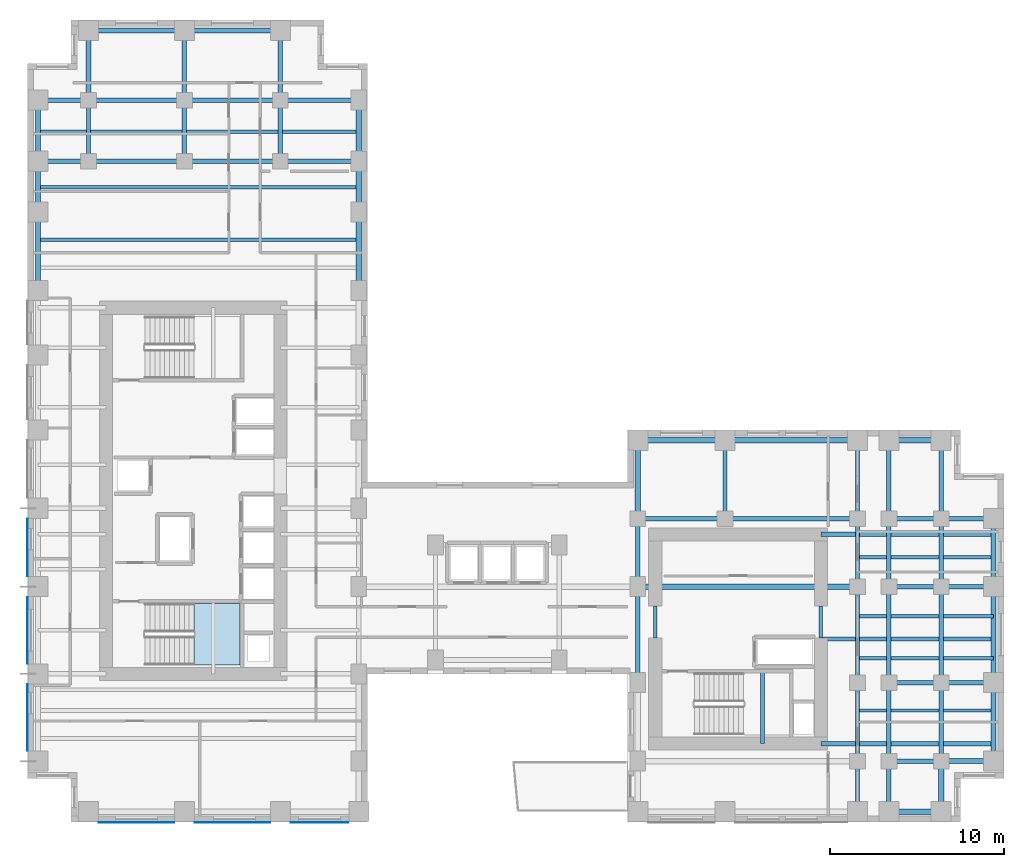
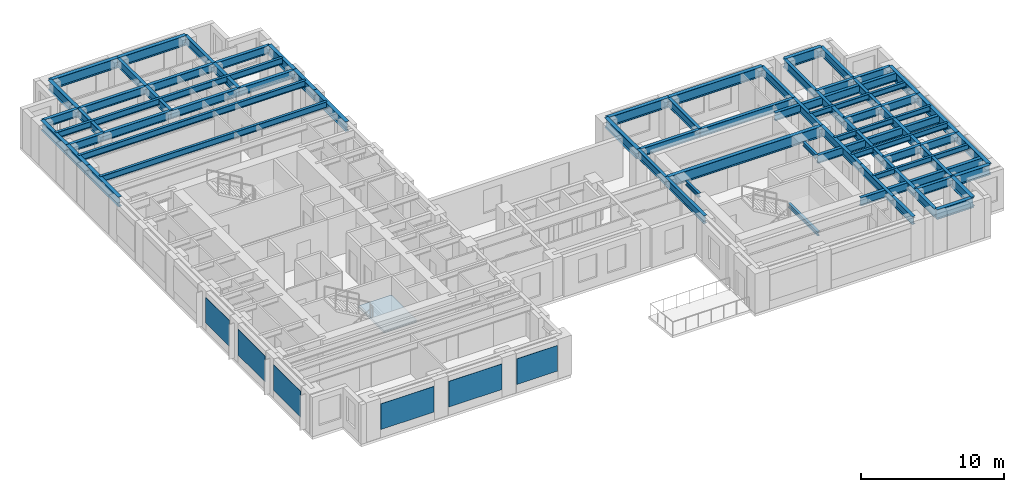
# One storey, part 2 of 12: 72 beams, 6 plates, 1 slab, 1 element without a shape of its own.
"""IFC4 building model written with IfcOpenShell, lengths in metres."""

from ifc_helpers import new_model, si_unit, direction, frame, origin, origin_2d, place, context, subcontext, project, spatial, polyline, rectangle, i_section, outline, extrude, source, transform, mapped, material, layer, layer_set, material_profile, profile_set, type_object, element, aggregate, save


model = new_model("IFC4")

# Units and contexts
model_context = context("Model", 3, precision=1e-05, world=origin(), true_north=direction((0.0, 1.0)))
body_context = subcontext(model_context, "Body", "Model", "MODEL_VIEW")
ifc_project = project(units=[si_unit("LENGTHUNIT", "METRE"), si_unit("AREAUNIT", "SQUARE_METRE"), si_unit("VOLUMEUNIT", "CUBIC_METRE"), si_unit("PLANEANGLEUNIT", "RADIAN"), si_unit("MASSUNIT", "GRAM", prefix="KILO")], contexts=[model_context])

# Site, building, storey
site_placement = place(None, origin())
site = spatial("IfcSite", under=ifc_project, at=site_placement, CompositionType="ELEMENT")
building_placement = place(site_placement, origin())
building = spatial("IfcBuilding", under=site, at=building_placement, Name="Kharzan Plaza Tower", CompositionType="ELEMENT")
storey_placement = place(building_placement, frame((0.0, 0.0, 91.800048828125)))
storey = spatial("IfcBuildingStorey", under=building, at=storey_placement, Name="L24", CompositionType="ELEMENT", Elevation=91.800048828125)

# Beams
ifc_material_1 = material(Name="Steel S355", Category="steel")
ifc_material_profile_1 = material_profile(ifc_material_1, i_section(OverallWidth=0.205078125, OverallDepth=0.35400390625, WebThickness=0.009521484375, FlangeThickness=0.016845703125, at=origin_2d()), Name="W360x79")
ifc_profile_set_1 = profile_set([ifc_material_profile_1], Name="Steel S355")
beam_type_1 = type_object("IfcBeamType", Name="BM-LNT360", PredefinedType="LINTEL", material=ifc_profile_set_1)
shared_shape_1 = source(origin(), body_context, "Body", "SweptSolid", [
    extrude(i_section(OverallWidth=0.205078125, OverallDepth=0.35400390625, WebThickness=0.009521484375, FlangeThickness=0.016845703125, at=origin_2d()), origin(), (0.0, 0.0, 1.0), 1.849853515625),
])
for number, where, z_axis, x_axis, name in (
    (1, (45.5, 10.550048828125, 3.202880859375), (0.0, 1.0, 0.0), (-1.0, 0.0, 0.0), "L24 CORE-B coupling lintel LN1-WE"),
    (2, (36.0, 10.550048828125, 3.202880859375), (0.0, 1.0, 0.0), (-1.0, 0.0, 0.0), "L24 CORE-B coupling lintel LN1-WW"),
):
    element("IfcBeam", number, at=place(storey_placement, frame(where, z_axis=z_axis, x_axis=x_axis)), inside=storey, type_object=beam_type_1, Name=name, PredefinedType="LINTEL", context=body_context, shape_type="MappedRepresentation", body=[
        mapped(shared_shape_1, transform((0.0, 0.0, 0.0), x_axis=(1.0, 0.0, 0.0), y_axis=(0.0, 1.0, 0.0), z_axis=(0.0, 0.0, 1.0))),
    ])
shared_shape_2 = source(origin(), body_context, "Body", "SweptSolid", [
    extrude(i_section(OverallWidth=0.205078125, OverallDepth=0.35400390625, WebThickness=0.009521484375, FlangeThickness=0.016845703125, at=origin_2d()), origin(), (0.0, 0.0, 1.0), 4.155029296875),
])
beam_1_placement = place(storey_placement, frame((42.14990234375, 4.5, 1.4228515625), z_axis=(0.0, 1.0, 0.0), x_axis=(-1.0, 0.0, 0.0)))
element("IfcBeam", 3, at=beam_1_placement, inside=storey, type_object=beam_type_1, Name="L24 Stair ST-3 Half-Landing Beam", PredefinedType="LINTEL", context=body_context, shape_type="MappedRepresentation", body=[
    mapped(shared_shape_2, transform((0.0, 0.0, 0.0), x_axis=(1.0, 0.0, 0.0), y_axis=(0.0, 1.0, 0.0), z_axis=(0.0, 0.0, 1.0))),
])
ifc_material_profile_2 = material_profile(ifc_material_1, i_section(OverallWidth=0.304931640625, OverallDepth=0.9189453125, WebThickness=0.017333984375, FlangeThickness=0.02783203125, at=origin_2d()), Name="W920x253")
ifc_profile_set_2 = profile_set([ifc_material_profile_2], Name="Steel S355")
beam_type_2 = type_object("IfcBeamType", Name="BM-FG920B", PredefinedType="BEAM", material=ifc_profile_set_2)
shared_shape_3 = source(origin(), body_context, "Body", "SweptSolid", [
    extrude(i_section(OverallWidth=0.304931640625, OverallDepth=0.9189453125, WebThickness=0.017333984375, FlangeThickness=0.02783203125, at=origin_2d()), origin(), (0.0, 0.0, 1.0), 12.60009765625),
])
beam_2_placement = place(storey_placement, frame((35.0, 13.5, 2.92041015625), z_axis=(1.0, 0.0, 0.0), x_axis=(0.0, 1.0, 0.0)))
element("IfcBeam", 4, at=beam_2_placement, inside=storey, type_object=beam_type_2, Name="L24 Primary Floor Girder", PredefinedType="BEAM", context=body_context, shape_type="MappedRepresentation", body=[
    mapped(shared_shape_3, transform((0.0, 0.0, 0.0), x_axis=(1.0, 0.0, 0.0), y_axis=(0.0, 1.0, 0.0), z_axis=(0.0, 0.0, 1.0))),
])
ifc_material_profile_3 = material_profile(ifc_material_1, i_section(OverallWidth=0.2099609375, OverallDepth=0.537109375, WebThickness=0.010986328125, FlangeThickness=0.017333984375, at=origin_2d()), Name="W530x101")
ifc_profile_set_3 = profile_set([ifc_material_profile_3], Name="Steel S355")
beam_type_3 = type_object("IfcBeamType", Name="BM-JST530B", PredefinedType="JOIST", material=ifc_profile_set_3)
shared_shape_4 = source(origin(), body_context, "Body", "SweptSolid", [
    extrude(i_section(OverallWidth=0.2099609375, OverallDepth=0.537109375, WebThickness=0.010986328125, FlangeThickness=0.017333984375, at=origin_2d()), origin(), (0.0, 0.0, 1.0), 18.39990234375),
])
for number, where, z_axis, x_axis, name in (
    (5, (0.60009765625, 33.39990234375, 3.111572265625), (1.0, 0.0, 0.0), (0.0, 1.0, 0.0), "L24 Wing A Composite Joist 05"),
    (6, (0.60009765625, 36.39990234375, 3.111572265625), (1.0, 0.0, 0.0), (0.0, 1.0, 0.0), "L24 Wing A Composite Joist 06"),
    (7, (0.60009765625, 39.60009765625, 3.111572265625), (1.0, 0.0, 0.0), (0.0, 1.0, 0.0), "L24 Wing A Composite Joist 07"),
):
    element("IfcBeam", number, at=place(storey_placement, frame(where, z_axis=z_axis, x_axis=x_axis)), inside=storey, type_object=beam_type_3, Name=name, PredefinedType="JOIST", context=body_context, shape_type="MappedRepresentation", body=[
        mapped(shared_shape_4, transform((0.0, 0.0, 0.0), x_axis=(1.0, 0.0, 0.0), y_axis=(0.0, 1.0, 0.0), z_axis=(0.0, 0.0, 1.0))),
    ])
ifc_material_profile_4 = material_profile(ifc_material_1, i_section(OverallWidth=0.25390625, OverallDepth=0.68798828125, WebThickness=0.01318359375, FlangeThickness=0.02099609375, at=origin_2d()), Name="W690x152")
ifc_profile_set_4 = profile_set([ifc_material_profile_4], Name="Steel S355")
beam_type_4 = type_object("IfcBeamType", Name="BM-FG690B", PredefinedType="BEAM", material=ifc_profile_set_4)
shared_shape_5 = source(origin(), body_context, "Body", "SweptSolid", [
    extrude(i_section(OverallWidth=0.25390625, OverallDepth=0.68798828125, WebThickness=0.01318359375, FlangeThickness=0.02099609375, at=origin_2d()), origin(), (0.0, 0.0, 1.0), 4.5),
])
for number, where, z_axis, x_axis, name in (
    (8, (40.0, 17.39990234375, 3.035888671875), (0.0, 1.0, 0.0), (-1.0, 0.0, 0.0), "L24 Interior Frame Girder"),
    (9, (47.60009765625, 3.5, 3.035888671875), (0.0, 1.0, 0.0), (-1.0, 0.0, 0.0), "L24 Interior Frame Girder"),
    (10, (47.60009765625, 17.39990234375, 3.035888671875), (0.0, 1.0, 0.0), (-1.0, 0.0, 0.0), "L24 Interior Frame Girder"),
    (11, (49.39990234375, 3.5, 3.035888671875), (0.0, 1.0, 0.0), (-1.0, 0.0, 0.0), "L24 Interior Frame Girder"),
    (12, (49.39990234375, 17.39990234375, 3.035888671875), (0.0, 1.0, 0.0), (-1.0, 0.0, 0.0), "L24 Interior Frame Girder"),
    (13, (52.39990234375, 3.5, 3.035888671875), (0.0, 1.0, 0.0), (-1.0, 0.0, 0.0), "L24 Interior Frame Girder"),
    (14, (52.39990234375, 17.39990234375, 3.035888671875), (0.0, 1.0, 0.0), (-1.0, 0.0, 0.0), "L24 Interior Frame Girder"),
    (15, (14.5, 37.89990234375, 3.035888671875), (1.0, 0.0, 0.0), (0.0, 1.0, 0.0), "L24 Primary Floor Girder"),
    (16, (14.5, 41.39990234375, 3.035888671875), (1.0, 0.0, 0.0), (0.0, 1.0, 0.0), "L24 Primary Floor Girder"),
):
    element("IfcBeam", number, at=place(storey_placement, frame(where, z_axis=z_axis, x_axis=x_axis)), inside=storey, type_object=beam_type_4, Name=name, PredefinedType="BEAM", context=body_context, shape_type="MappedRepresentation", body=[
        mapped(shared_shape_5, transform((0.0, 0.0, 0.0), x_axis=(1.0, 0.0, 0.0), y_axis=(0.0, 1.0, 0.0), z_axis=(0.0, 0.0, 1.0))),
    ])
shared_shape_6 = source(origin(), body_context, "Body", "SweptSolid", [
    extrude(i_section(OverallWidth=0.25390625, OverallDepth=0.68798828125, WebThickness=0.01318359375, FlangeThickness=0.02099609375, at=origin_2d()), origin(), (0.0, 0.0, 1.0), 3.89990234375),
])
for number, where, z_axis, x_axis, name in (
    (17, (35.0, 13.5, 3.035888671875), (0.0, 1.0, 0.0), (-1.0, 0.0, 0.0), "L24 Interior Frame Girder"),
    (18, (47.60009765625, 13.5, 3.035888671875), (0.0, 1.0, 0.0), (-1.0, 0.0, 0.0), "L24 Interior Frame Girder"),
    (19, (49.39990234375, 13.5, 3.035888671875), (0.0, 1.0, 0.0), (-1.0, 0.0, 0.0), "L24 Interior Frame Girder"),
    (20, (52.39990234375, 13.5, 3.035888671875), (0.0, 1.0, 0.0), (-1.0, 0.0, 0.0), "L24 Interior Frame Girder"),
):
    element("IfcBeam", number, at=place(storey_placement, frame(where, z_axis=z_axis, x_axis=x_axis)), inside=storey, type_object=beam_type_4, Name=name, PredefinedType="BEAM", context=body_context, shape_type="MappedRepresentation", body=[
        mapped(shared_shape_6, transform((0.0, 0.0, 0.0), x_axis=(1.0, 0.0, 0.0), y_axis=(0.0, 1.0, 0.0), z_axis=(0.0, 0.0, 1.0))),
    ])
shared_shape_7 = source(origin(), body_context, "Body", "SweptSolid", [
    extrude(i_section(OverallWidth=0.25390625, OverallDepth=0.68798828125, WebThickness=0.01318359375, FlangeThickness=0.02099609375, at=origin_2d()), origin(), (0.0, 0.0, 1.0), 9.89990234375),
])
for number, where, z_axis, x_axis, name in (
    (21, (45.5, 4.5, 3.035888671875), (1.0, 0.0, 0.0), (0.0, 1.0, 0.0), "L24 Core-B East Floor Girder 1"),
    (22, (45.5, 10.5, 3.035888671875), (1.0, 0.0, 0.0), (0.0, 1.0, 0.0), "L24 Core-B East Floor Girder 2"),
    (23, (45.5, 16.5, 3.035888671875), (1.0, 0.0, 0.0), (0.0, 1.0, 0.0), "L24 Core-B East Floor Girder 3"),
):
    element("IfcBeam", number, at=place(storey_placement, frame(where, z_axis=z_axis, x_axis=x_axis)), inside=storey, type_object=beam_type_4, Name=name, PredefinedType="BEAM", context=body_context, shape_type="MappedRepresentation", body=[
        mapped(shared_shape_7, transform((0.0, 0.0, 0.0), x_axis=(1.0, 0.0, 0.0), y_axis=(0.0, 1.0, 0.0), z_axis=(0.0, 0.0, 1.0))),
    ])
shared_shape_8 = source(origin(), body_context, "Body", "SweptSolid", [
    extrude(i_section(OverallWidth=0.25390625, OverallDepth=0.68798828125, WebThickness=0.01318359375, FlangeThickness=0.02099609375, at=origin_2d()), origin(), (0.0, 0.0, 1.0), 3.5),
])
for number, where, z_axis, x_axis, name in (
    (24, (3.5, 37.89990234375, 3.035888671875), (0.0, 1.0, 0.0), (-1.0, 0.0, 0.0), "L24 Interior Frame Girder"),
    (25, (9.0, 37.89990234375, 3.035888671875), (0.0, 1.0, 0.0), (-1.0, 0.0, 0.0), "L24 Interior Frame Girder"),
    (26, (14.5, 37.89990234375, 3.035888671875), (0.0, 1.0, 0.0), (-1.0, 0.0, 0.0), "L24 Interior Frame Girder"),
):
    element("IfcBeam", number, at=place(storey_placement, frame(where, z_axis=z_axis, x_axis=x_axis)), inside=storey, type_object=beam_type_4, Name=name, PredefinedType="BEAM", context=body_context, shape_type="MappedRepresentation", body=[
        mapped(shared_shape_8, transform((0.0, 0.0, 0.0), x_axis=(1.0, 0.0, 0.0), y_axis=(0.0, 1.0, 0.0), z_axis=(0.0, 0.0, 1.0))),
    ])
shared_shape_9 = source(origin(), body_context, "Body", "SweptSolid", [
    extrude(i_section(OverallWidth=0.25390625, OverallDepth=0.68798828125, WebThickness=0.01318359375, FlangeThickness=0.02099609375, at=origin_2d()), origin(), (0.0, 0.0, 1.0), 4.0),
])
for number, where, z_axis, x_axis, name in (
    (27, (9.0, 41.39990234375, 3.035888671875), (0.0, 1.0, 0.0), (-1.0, 0.0, 0.0), "L24 Interior Frame Girder"),
    (28, (14.5, 41.39990234375, 3.035888671875), (0.0, 1.0, 0.0), (-1.0, 0.0, 0.0), "L24 Interior Frame Girder"),
):
    element("IfcBeam", number, at=place(storey_placement, frame(where, z_axis=z_axis, x_axis=x_axis)), inside=storey, type_object=beam_type_4, Name=name, PredefinedType="BEAM", context=body_context, shape_type="MappedRepresentation", body=[
        mapped(shared_shape_9, transform((0.0, 0.0, 0.0), x_axis=(1.0, 0.0, 0.0), y_axis=(0.0, 1.0, 0.0), z_axis=(0.0, 0.0, 1.0))),
    ])
shared_shape_10 = source(origin(), body_context, "Body", "SweptSolid", [
    extrude(i_section(OverallWidth=0.25390625, OverallDepth=0.68798828125, WebThickness=0.01318359375, FlangeThickness=0.02099609375, at=origin_2d()), origin(), (0.0, 0.0, 1.0), 5.0),
])
beam_3_placement = place(storey_placement, frame((35.0, 17.39990234375, 3.035888671875), z_axis=(1.0, 0.0, 0.0), x_axis=(0.0, 1.0, 0.0)))
element("IfcBeam", 29, at=beam_3_placement, inside=storey, type_object=beam_type_4, Name="L24 Primary Floor Girder", PredefinedType="BEAM", context=body_context, shape_type="MappedRepresentation", body=[
    mapped(shared_shape_10, transform((0.0, 0.0, 0.0), x_axis=(1.0, 0.0, 0.0), y_axis=(0.0, 1.0, 0.0), z_axis=(0.0, 0.0, 1.0))),
])
shared_shape_11 = source(origin(), body_context, "Body", "SweptSolid", [
    extrude(i_section(OverallWidth=0.25390625, OverallDepth=0.68798828125, WebThickness=0.01318359375, FlangeThickness=0.02099609375, at=origin_2d()), origin(), (0.0, 0.0, 1.0), 5.5),
])
for number, where, z_axis, x_axis, name in (
    (30, (35.0, 8.0, 3.035888671875), (0.0, 1.0, 0.0), (-1.0, 0.0, 0.0), "L24 Interior Frame Girder"),
    (31, (47.60009765625, 8.0, 3.035888671875), (0.0, 1.0, 0.0), (-1.0, 0.0, 0.0), "L24 Interior Frame Girder"),
    (32, (49.39990234375, 8.0, 3.035888671875), (0.0, 1.0, 0.0), (-1.0, 0.0, 0.0), "L24 Interior Frame Girder"),
    (33, (52.39990234375, 8.0, 3.035888671875), (0.0, 1.0, 0.0), (-1.0, 0.0, 0.0), "L24 Interior Frame Girder"),
    (34, (3.5, 37.89990234375, 3.035888671875), (1.0, 0.0, 0.0), (0.0, 1.0, 0.0), "L24 Primary Floor Girder"),
    (35, (9.0, 37.89990234375, 3.035888671875), (1.0, 0.0, 0.0), (0.0, 1.0, 0.0), "L24 Primary Floor Girder"),
    (36, (3.5, 41.39990234375, 3.035888671875), (1.0, 0.0, 0.0), (0.0, 1.0, 0.0), "L24 Primary Floor Girder"),
    (37, (9.0, 41.39990234375, 3.035888671875), (1.0, 0.0, 0.0), (0.0, 1.0, 0.0), "L24 Primary Floor Girder"),
):
    element("IfcBeam", number, at=place(storey_placement, frame(where, z_axis=z_axis, x_axis=x_axis)), inside=storey, type_object=beam_type_4, Name=name, PredefinedType="BEAM", context=body_context, shape_type="MappedRepresentation", body=[
        mapped(shared_shape_11, transform((0.0, 0.0, 0.0), x_axis=(1.0, 0.0, 0.0), y_axis=(0.0, 1.0, 0.0), z_axis=(0.0, 0.0, 1.0))),
    ])
shared_shape_12 = source(origin(), body_context, "Body", "SweptSolid", [
    extrude(i_section(OverallWidth=0.25390625, OverallDepth=0.68798828125, WebThickness=0.01318359375, FlangeThickness=0.02099609375, at=origin_2d()), origin(), (0.0, 0.0, 1.0), 2.89990234375),
])
for number, where, z_axis, x_axis, name in (
    (38, (47.60009765625, 0.60009765625, 3.035888671875), (0.0, 1.0, 0.0), (-1.0, 0.0, 0.0), "L24 Interior Frame Girder"),
    (39, (49.39990234375, 0.60009765625, 3.035888671875), (0.0, 1.0, 0.0), (-1.0, 0.0, 0.0), "L24 Interior Frame Girder"),
    (40, (0.60009765625, 37.89990234375, 3.035888671875), (1.0, 0.0, 0.0), (0.0, 1.0, 0.0), "L24 Primary Floor Girder"),
    (41, (0.60009765625, 41.39990234375, 3.035888671875), (1.0, 0.0, 0.0), (0.0, 1.0, 0.0), "L24 Primary Floor Girder"),
):
    element("IfcBeam", number, at=place(storey_placement, frame(where, z_axis=z_axis, x_axis=x_axis)), inside=storey, type_object=beam_type_4, Name=name, PredefinedType="BEAM", context=body_context, shape_type="MappedRepresentation", body=[
        mapped(shared_shape_12, transform((0.0, 0.0, 0.0), x_axis=(1.0, 0.0, 0.0), y_axis=(0.0, 1.0, 0.0), z_axis=(0.0, 0.0, 1.0))),
    ])
shared_shape_13 = source(origin(), body_context, "Body", "SweptSolid", [
    extrude(i_section(OverallWidth=0.25390625, OverallDepth=0.68798828125, WebThickness=0.01318359375, FlangeThickness=0.02099609375, at=origin_2d()), origin(), (0.0, 0.0, 1.0), 3.0),
])
for number, where, z_axis, x_axis, name in (
    (42, (49.39990234375, 3.5, 3.035888671875), (1.0, 0.0, 0.0), (0.0, 1.0, 0.0), "L24 Primary Floor Girder"),
    (43, (49.39990234375, 8.0, 3.035888671875), (1.0, 0.0, 0.0), (0.0, 1.0, 0.0), "L24 Primary Floor Girder"),
    (44, (52.39990234375, 8.0, 3.035888671875), (1.0, 0.0, 0.0), (0.0, 1.0, 0.0), "L24 Primary Floor Girder"),
    (45, (49.39990234375, 13.5, 3.035888671875), (1.0, 0.0, 0.0), (0.0, 1.0, 0.0), "L24 Primary Floor Girder"),
    (46, (52.39990234375, 13.5, 3.035888671875), (1.0, 0.0, 0.0), (0.0, 1.0, 0.0), "L24 Primary Floor Girder"),
    (47, (49.39990234375, 17.39990234375, 3.035888671875), (1.0, 0.0, 0.0), (0.0, 1.0, 0.0), "L24 Primary Floor Girder"),
    (48, (52.39990234375, 17.39990234375, 3.035888671875), (1.0, 0.0, 0.0), (0.0, 1.0, 0.0), "L24 Primary Floor Girder"),
):
    element("IfcBeam", number, at=place(storey_placement, frame(where, z_axis=z_axis, x_axis=x_axis)), inside=storey, type_object=beam_type_4, Name=name, PredefinedType="BEAM", context=body_context, shape_type="MappedRepresentation", body=[
        mapped(shared_shape_13, transform((0.0, 0.0, 0.0), x_axis=(1.0, 0.0, 0.0), y_axis=(0.0, 1.0, 0.0), z_axis=(0.0, 0.0, 1.0))),
    ])
shared_shape_14 = source(origin(), body_context, "Body", "SweptSolid", [
    extrude(i_section(OverallWidth=0.25390625, OverallDepth=0.68798828125, WebThickness=0.01318359375, FlangeThickness=0.02099609375, at=origin_2d()), origin(), (0.0, 0.0, 1.0), 7.60009765625),
])
beam_4_placement = place(storey_placement, frame((40.0, 17.39990234375, 3.035888671875), z_axis=(1.0, 0.0, 0.0), x_axis=(0.0, 1.0, 0.0)))
element("IfcBeam", 49, at=beam_4_placement, inside=storey, type_object=beam_type_4, Name="L24 Primary Floor Girder", PredefinedType="BEAM", context=body_context, shape_type="MappedRepresentation", body=[
    mapped(shared_shape_14, transform((0.0, 0.0, 0.0), x_axis=(1.0, 0.0, 0.0), y_axis=(0.0, 1.0, 0.0), z_axis=(0.0, 0.0, 1.0))),
])
ifc_material_profile_5 = material_profile(ifc_material_1, i_section(OverallWidth=0.194091796875, OverallDepth=0.468994140625, WebThickness=0.011474609375, FlangeThickness=0.0205078125, at=origin_2d()), Name="W460x106")
ifc_profile_set_5 = profile_set([ifc_material_profile_5], Name="Steel S355")
beam_type_5 = type_object("IfcBeamType", Name="BM-JST460", PredefinedType="JOIST", material=ifc_profile_set_5)
shared_shape_15 = source(origin(), body_context, "Body", "SweptSolid", [
    extrude(i_section(OverallWidth=0.194091796875, OverallDepth=0.468994140625, WebThickness=0.011474609375, FlangeThickness=0.0205078125, at=origin_2d()), origin(), (0.0, 0.0, 1.0), 7.7998046875),
])
for number, where, z_axis, x_axis, name in (
    (50, (47.60009765625, 6.39990234375, 3.1455078125), (1.0, 0.0, 0.0), (0.0, 1.0, 0.0), "L24 Wing B Composite Joist 02"),
    (51, (47.60009765625, 9.39990234375, 3.1455078125), (1.0, 0.0, 0.0), (0.0, 1.0, 0.0), "L24 Wing B Composite Joist 03"),
    (52, (47.60009765625, 11.800048828125, 3.1455078125), (1.0, 0.0, 0.0), (0.0, 1.0, 0.0), "L24 Wing B Composite Joist 04"),
    (53, (47.60009765625, 15.199951171875, 3.1455078125), (1.0, 0.0, 0.0), (0.0, 1.0, 0.0), "L24 Wing B Composite Joist 05"),
):
    element("IfcBeam", number, at=place(storey_placement, frame(where, z_axis=z_axis, x_axis=x_axis)), inside=storey, type_object=beam_type_5, Name=name, PredefinedType="JOIST", context=body_context, shape_type="MappedRepresentation", body=[
        mapped(shared_shape_15, transform((0.0, 0.0, 0.0), x_axis=(1.0, 0.0, 0.0), y_axis=(0.0, 1.0, 0.0), z_axis=(0.0, 0.0, 1.0))),
    ])
ifc_material_profile_6 = material_profile(ifc_material_1, i_section(OverallWidth=0.299072265625, OverallDepth=0.845947265625, WebThickness=0.015380859375, FlangeThickness=0.0244140625, at=origin_2d()), Name="W840x210")
ifc_profile_set_6 = profile_set([ifc_material_profile_6], Name="Steel S355")
beam_type_6 = type_object("IfcBeamType", Name="BM-SP840B", PredefinedType="SPANDREL", material=ifc_profile_set_6)
shared_shape_16 = source(origin(), body_context, "Body", "SweptSolid", [
    extrude(i_section(OverallWidth=0.299072265625, OverallDepth=0.845947265625, WebThickness=0.015380859375, FlangeThickness=0.0244140625, at=origin_2d()), origin(), (0.0, 0.0, 1.0), 5.0),
])
beam_5_placement = place(storey_placement, frame((35.0, 21.89990234375, 2.95703125), z_axis=(1.0, 0.0, 0.0), x_axis=(0.0, 1.0, 0.0)))
element("IfcBeam", 54, at=beam_5_placement, inside=storey, type_object=beam_type_6, Name="L24 Perimeter Tube Spandrel", PredefinedType="SPANDREL", context=body_context, shape_type="MappedRepresentation", body=[
    mapped(shared_shape_16, transform((0.0, 0.0, 0.0), x_axis=(1.0, 0.0, 0.0), y_axis=(0.0, 1.0, 0.0), z_axis=(0.0, 0.0, 1.0))),
])
shared_shape_17 = source(origin(), body_context, "Body", "SweptSolid", [
    extrude(i_section(OverallWidth=0.299072265625, OverallDepth=0.845947265625, WebThickness=0.015380859375, FlangeThickness=0.0244140625, at=origin_2d()), origin(), (0.0, 0.0, 1.0), 4.5),
])
for number, where, z_axis, x_axis, name in (
    (55, (0.60009765625, 30.5, 2.95703125), (0.0, 1.0, 0.0), (-1.0, 0.0, 0.0), "L24 Perimeter Tube Spandrel"),
    (56, (19.0, 30.5, 2.95703125), (0.0, 1.0, 0.0), (-1.0, 0.0, 0.0), "L24 Perimeter Tube Spandrel"),
    (57, (35.0, 17.39990234375, 2.95703125), (0.0, 1.0, 0.0), (-1.0, 0.0, 0.0), "L24 Perimeter Tube Spandrel"),
    (58, (55.39990234375, 3.5, 2.95703125), (0.0, 1.0, 0.0), (-1.0, 0.0, 0.0), "L24 Perimeter Tube Spandrel"),
):
    element("IfcBeam", number, at=place(storey_placement, frame(where, z_axis=z_axis, x_axis=x_axis)), inside=storey, type_object=beam_type_6, Name=name, PredefinedType="SPANDREL", context=body_context, shape_type="MappedRepresentation", body=[
        mapped(shared_shape_17, transform((0.0, 0.0, 0.0), x_axis=(1.0, 0.0, 0.0), y_axis=(0.0, 1.0, 0.0), z_axis=(0.0, 0.0, 1.0))),
    ])
shared_shape_18 = source(origin(), body_context, "Body", "SweptSolid", [
    extrude(i_section(OverallWidth=0.299072265625, OverallDepth=0.845947265625, WebThickness=0.015380859375, FlangeThickness=0.0244140625, at=origin_2d()), origin(), (0.0, 0.0, 1.0), 2.89990234375),
])
for number, where, z_axis, x_axis, name in (
    (59, (0.60009765625, 35.0, 2.95703125), (0.0, 1.0, 0.0), (-1.0, 0.0, 0.0), "L24 Perimeter Tube Spandrel"),
    (60, (19.0, 35.0, 2.95703125), (0.0, 1.0, 0.0), (-1.0, 0.0, 0.0), "L24 Perimeter Tube Spandrel"),
    (61, (52.39990234375, 0.60009765625, 2.95703125), (0.0, 1.0, 0.0), (-1.0, 0.0, 0.0), "L24 Perimeter Tube Spandrel"),
):
    element("IfcBeam", number, at=place(storey_placement, frame(where, z_axis=z_axis, x_axis=x_axis)), inside=storey, type_object=beam_type_6, Name=name, PredefinedType="SPANDREL", context=body_context, shape_type="MappedRepresentation", body=[
        mapped(shared_shape_18, transform((0.0, 0.0, 0.0), x_axis=(1.0, 0.0, 0.0), y_axis=(0.0, 1.0, 0.0), z_axis=(0.0, 0.0, 1.0))),
    ])
shared_shape_19 = source(origin(), body_context, "Body", "SweptSolid", [
    extrude(i_section(OverallWidth=0.299072265625, OverallDepth=0.845947265625, WebThickness=0.015380859375, FlangeThickness=0.0244140625, at=origin_2d()), origin(), (0.0, 0.0, 1.0), 3.5),
])
for number, where, z_axis, x_axis, name in (
    (62, (0.60009765625, 37.89990234375, 2.95703125), (0.0, 1.0, 0.0), (-1.0, 0.0, 0.0), "L24 Perimeter Tube Spandrel"),
    (63, (19.0, 37.89990234375, 2.95703125), (0.0, 1.0, 0.0), (-1.0, 0.0, 0.0), "L24 Perimeter Tube Spandrel"),
):
    element("IfcBeam", number, at=place(storey_placement, frame(where, z_axis=z_axis, x_axis=x_axis)), inside=storey, type_object=beam_type_6, Name=name, PredefinedType="SPANDREL", context=body_context, shape_type="MappedRepresentation", body=[
        mapped(shared_shape_19, transform((0.0, 0.0, 0.0), x_axis=(1.0, 0.0, 0.0), y_axis=(0.0, 1.0, 0.0), z_axis=(0.0, 0.0, 1.0))),
    ])
shared_shape_20 = source(origin(), body_context, "Body", "SweptSolid", [
    extrude(i_section(OverallWidth=0.299072265625, OverallDepth=0.845947265625, WebThickness=0.015380859375, FlangeThickness=0.0244140625, at=origin_2d()), origin(), (0.0, 0.0, 1.0), 4.0),
])
beam_6_placement = place(storey_placement, frame((3.5, 41.39990234375, 2.95703125), z_axis=(0.0, 1.0, 0.0), x_axis=(-1.0, 0.0, 0.0)))
element("IfcBeam", 64, at=beam_6_placement, inside=storey, type_object=beam_type_6, Name="L24 Perimeter Tube Spandrel", PredefinedType="SPANDREL", context=body_context, shape_type="MappedRepresentation", body=[
    mapped(shared_shape_20, transform((0.0, 0.0, 0.0), x_axis=(1.0, 0.0, 0.0), y_axis=(0.0, 1.0, 0.0), z_axis=(0.0, 0.0, 1.0))),
])
shared_shape_21 = source(origin(), body_context, "Body", "SweptSolid", [
    extrude(i_section(OverallWidth=0.299072265625, OverallDepth=0.845947265625, WebThickness=0.015380859375, FlangeThickness=0.0244140625, at=origin_2d()), origin(), (0.0, 0.0, 1.0), 5.5),
])
for number, where, z_axis, x_axis, name in (
    (65, (55.39990234375, 8.0, 2.95703125), (0.0, 1.0, 0.0), (-1.0, 0.0, 0.0), "L24 Perimeter Tube Spandrel"),
    (66, (3.5, 45.39990234375, 2.95703125), (1.0, 0.0, 0.0), (0.0, 1.0, 0.0), "L24 Perimeter Tube Spandrel"),
    (67, (9.0, 45.39990234375, 2.95703125), (1.0, 0.0, 0.0), (0.0, 1.0, 0.0), "L24 Perimeter Tube Spandrel"),
):
    element("IfcBeam", number, at=place(storey_placement, frame(where, z_axis=z_axis, x_axis=x_axis)), inside=storey, type_object=beam_type_6, Name=name, PredefinedType="SPANDREL", context=body_context, shape_type="MappedRepresentation", body=[
        mapped(shared_shape_21, transform((0.0, 0.0, 0.0), x_axis=(1.0, 0.0, 0.0), y_axis=(0.0, 1.0, 0.0), z_axis=(0.0, 0.0, 1.0))),
    ])
shared_shape_22 = source(origin(), body_context, "Body", "SweptSolid", [
    extrude(i_section(OverallWidth=0.299072265625, OverallDepth=0.845947265625, WebThickness=0.015380859375, FlangeThickness=0.0244140625, at=origin_2d()), origin(), (0.0, 0.0, 1.0), 3.89990234375),
])
beam_7_placement = place(storey_placement, frame((55.39990234375, 13.5, 2.95703125), z_axis=(0.0, 1.0, 0.0), x_axis=(-1.0, 0.0, 0.0)))
element("IfcBeam", 68, at=beam_7_placement, inside=storey, type_object=beam_type_6, Name="L24 Perimeter Tube Spandrel", PredefinedType="SPANDREL", context=body_context, shape_type="MappedRepresentation", body=[
    mapped(shared_shape_22, transform((0.0, 0.0, 0.0), x_axis=(1.0, 0.0, 0.0), y_axis=(0.0, 1.0, 0.0), z_axis=(0.0, 0.0, 1.0))),
])
shared_shape_23 = source(origin(), body_context, "Body", "SweptSolid", [
    extrude(i_section(OverallWidth=0.299072265625, OverallDepth=0.845947265625, WebThickness=0.015380859375, FlangeThickness=0.0244140625, at=origin_2d()), origin(), (0.0, 0.0, 1.0), 7.60009765625),
])
beam_8_placement = place(storey_placement, frame((40.0, 21.89990234375, 2.95703125), z_axis=(1.0, 0.0, 0.0), x_axis=(0.0, 1.0, 0.0)))
element("IfcBeam", 69, at=beam_8_placement, inside=storey, type_object=beam_type_6, Name="L24 Perimeter Tube Spandrel", PredefinedType="SPANDREL", context=body_context, shape_type="MappedRepresentation", body=[
    mapped(shared_shape_23, transform((0.0, 0.0, 0.0), x_axis=(1.0, 0.0, 0.0), y_axis=(0.0, 1.0, 0.0), z_axis=(0.0, 0.0, 1.0))),
])
shared_shape_24 = source(origin(), body_context, "Body", "SweptSolid", [
    extrude(i_section(OverallWidth=0.299072265625, OverallDepth=0.845947265625, WebThickness=0.015380859375, FlangeThickness=0.0244140625, at=origin_2d()), origin(), (0.0, 0.0, 1.0), 3.0),
])
for number, where, z_axis, x_axis, name in (
    (70, (49.39990234375, 0.60009765625, 2.95703125), (1.0, 0.0, 0.0), (0.0, 1.0, 0.0), "L24 Perimeter Tube Spandrel"),
    (71, (52.39990234375, 3.5, 2.95703125), (1.0, 0.0, 0.0), (0.0, 1.0, 0.0), "L24 Perimeter Tube Spandrel"),
    (72, (49.39990234375, 21.89990234375, 2.95703125), (1.0, 0.0, 0.0), (0.0, 1.0, 0.0), "L24 Perimeter Tube Spandrel"),
):
    element("IfcBeam", number, at=place(storey_placement, frame(where, z_axis=z_axis, x_axis=x_axis)), inside=storey, type_object=beam_type_6, Name=name, PredefinedType="SPANDREL", context=body_context, shape_type="MappedRepresentation", body=[
        mapped(shared_shape_24, transform((0.0, 0.0, 0.0), x_axis=(1.0, 0.0, 0.0), y_axis=(0.0, 1.0, 0.0), z_axis=(0.0, 0.0, 1.0))),
    ])

# Stair, slab
ifc_material_2 = material(Name="Concrete C40/50", Category="concrete")
stair_type = type_object("IfcStairType", Name="STR-ST-1", PredefinedType="HALF_TURN_STAIR", material=ifc_material_2)
stair_placement = place(storey_placement, origin())
stair = element("IfcStair", 73, at=stair_placement, inside=storey, type_object=stair_type, Name="L24 Protected Exit Stair ST-1", PredefinedType="HALF_TURN_STAIR")
ifc_layer_1 = layer(ifc_material_2, 0.219970703125)
ifc_layer_set_1 = layer_set([ifc_layer_1], Name="Concrete C40/50")
slab_type = type_object("IfcSlabType", Name="SL-LANDING-220", PredefinedType="LANDING", material=ifc_layer_set_1)
slab_placement = place(storey_placement, frame((0.0, 0.0, 1.599853515625)))
slab = element("IfcSlab", 74, at=slab_placement, type_object=slab_type, Name="ST-1 landing 1", PredefinedType="LANDING", context=body_context, shape_type="SweptSolid", body=[
    extrude(outline(polyline([(9.550048828125, 9.0), (12.199951171875, 9.0), (12.199951171875, 12.550048828125), (9.550048828125, 12.550048828125), (9.550048828125, 9.0)])), origin(), (0.0, 0.0, 1.0), 0.2001953125),
])
aggregate(stair, [slab])

# Plates
ifc_material_3 = material(Name="Perforated Bronze-Anodized Aluminium", Category="aluminium")
ifc_layer_2 = layer(ifc_material_3, 0.030029296875)
ifc_layer_set_2 = layer_set([ifc_layer_2], Name="Perforated Bronze-Anodized Aluminium")
plate_type = type_object("IfcPlateType", Name="PLT-MASH-SCREEN", PredefinedType="SHEET", material=ifc_layer_set_2)
shared_shape_25 = source(origin(), body_context, "Body", "SweptSolid", [
    extrude(rectangle(XDim=3.31396484375, YDim=0.030029296875, at=origin_2d()), origin(), (0.0, 0.0, 1.0), 2.199951171875),
])
for number, where, z_axis, x_axis, name in (
    (75, (-0.012939453125, 15.75, 0.72998046875), (0.0, 0.0, 1.0), (0.0, -1.0, 0.0), "L24 Perforated Mashrabiya Solar Screen"),
    (76, (16.75, -0.012939453125, 0.72998046875), (0.0, 0.0, 1.0), (1.0, 0.0, 0.0), "L24 Perforated Mashrabiya Solar Screen"),
):
    element("IfcPlate", number, at=place(storey_placement, frame(where, z_axis=z_axis, x_axis=x_axis)), inside=storey, type_object=plate_type, Name=name, PredefinedType="SHEET", context=body_context, shape_type="MappedRepresentation", body=[
        mapped(shared_shape_25, transform((0.0, 0.0, 0.0), x_axis=(1.0, 0.0, 0.0), y_axis=(0.0, 1.0, 0.0), z_axis=(0.0, 0.0, 1.0))),
    ])
shared_shape_26 = source(origin(), body_context, "Body", "SweptSolid", [
    extrude(rectangle(XDim=3.81396484375, YDim=0.030029296875, at=origin_2d()), origin(), (0.0, 0.0, 1.0), 2.199951171875),
])
for number, where, z_axis, x_axis, name in (
    (77, (-0.012939453125, 11.0, 0.72998046875), (0.0, 0.0, 1.0), (0.0, -1.0, 0.0), "L24 Perforated Mashrabiya Solar Screen"),
    (78, (-0.012939453125, 6.0, 0.72998046875), (0.0, 0.0, 1.0), (0.0, -1.0, 0.0), "L24 Perforated Mashrabiya Solar Screen"),
):
    element("IfcPlate", number, at=place(storey_placement, frame(where, z_axis=z_axis, x_axis=x_axis)), inside=storey, type_object=plate_type, Name=name, PredefinedType="SHEET", context=body_context, shape_type="MappedRepresentation", body=[
        mapped(shared_shape_26, transform((0.0, 0.0, 0.0), x_axis=(1.0, 0.0, 0.0), y_axis=(0.0, 1.0, 0.0), z_axis=(0.0, 0.0, 1.0))),
    ])
shared_shape_27 = source(origin(), body_context, "Body", "SweptSolid", [
    extrude(rectangle(XDim=4.31396484375, YDim=0.030029296875, at=origin_2d()), origin(), (0.0, 0.0, 1.0), 2.199951171875),
])
for number, where, z_axis, x_axis, name in (
    (79, (6.25, -0.012939453125, 0.72998046875), (0.0, 0.0, 1.0), (1.0, 0.0, 0.0), "L24 Perforated Mashrabiya Solar Screen"),
    (80, (11.75, -0.012939453125, 0.72998046875), (0.0, 0.0, 1.0), (1.0, 0.0, 0.0), "L24 Perforated Mashrabiya Solar Screen"),
):
    element("IfcPlate", number, at=place(storey_placement, frame(where, z_axis=z_axis, x_axis=x_axis)), inside=storey, type_object=plate_type, Name=name, PredefinedType="SHEET", context=body_context, shape_type="MappedRepresentation", body=[
        mapped(shared_shape_27, transform((0.0, 0.0, 0.0), x_axis=(1.0, 0.0, 0.0), y_axis=(0.0, 1.0, 0.0), z_axis=(0.0, 0.0, 1.0))),
    ])

save(model, "model.ifc")
